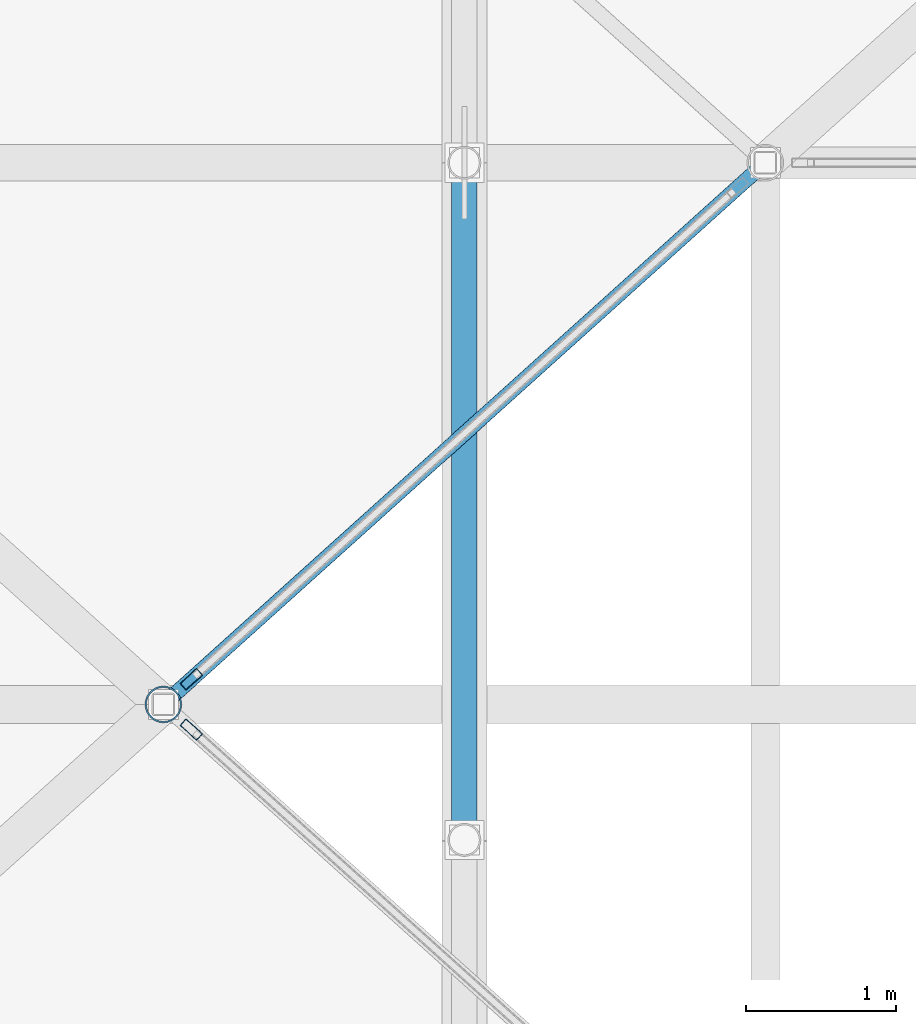
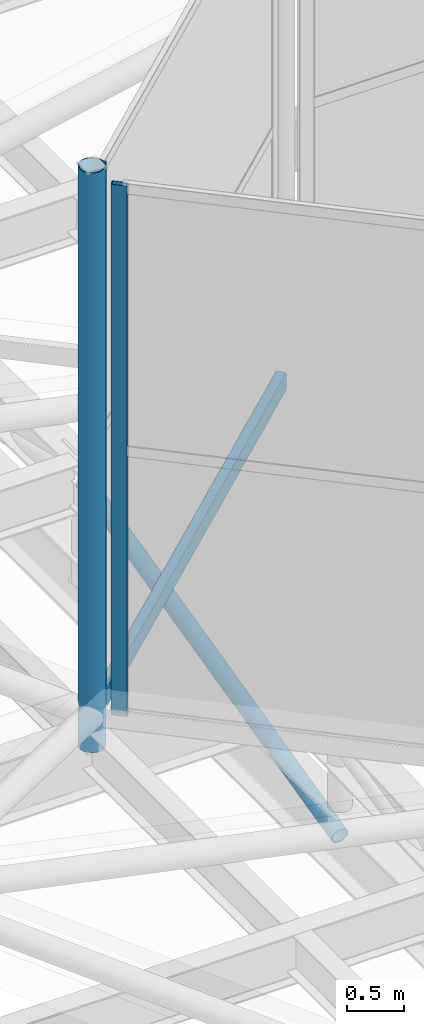
# One storey, part 112 of 239: 4 members, 1 beam, 2 elements without a shape of their own.
"""IFC4 building model written with IfcOpenShell, lengths in metres."""

from ifc_helpers import new_model, si_unit, direction, frame, origin, origin_2d, place, context, subcontext, project, spatial, hollow_rectangle, hollow_circle, extrude, material, layer, layer_set, material_profile, profile_set, type_object, element, aggregate, save


model = new_model("IFC4")

# Units and contexts
model_context = context("Model", 3, precision=1e-05, world=origin(), true_north=direction((0.0, 1.0)))
body_context = subcontext(model_context, "Body", "Model", "MODEL_VIEW")
ifc_project = project(units=[si_unit("LENGTHUNIT", "METRE"), si_unit("AREAUNIT", "SQUARE_METRE"), si_unit("VOLUMEUNIT", "CUBIC_METRE"), si_unit("PLANEANGLEUNIT", "RADIAN"), si_unit("MASSUNIT", "GRAM", prefix="KILO")], contexts=[model_context])

# Site, building, storey
site_placement = place(None, origin())
site = spatial("IfcSite", under=ifc_project, at=site_placement, CompositionType="ELEMENT")
building_placement = place(site_placement, origin())
building = spatial("IfcBuilding", under=site, at=building_placement, Name="Dunvalen Ferry Terminal", CompositionType="ELEMENT")
storey_placement = place(building_placement, frame((0.0, 0.0, 9.840087890625)))
storey = spatial("IfcBuildingStorey", under=building, at=storey_placement, Name="L02", CompositionType="ELEMENT", Elevation=9.840087890625)

# Curtain wall, member
ifc_material_1 = material(Name="Anodised marine aluminium and solar-control glazing", Category="aluminium")
ifc_layer_1 = layer(ifc_material_1, 0.179931640625, Name="Anodised marine aluminium and solar-control glazing")
ifc_layer_set_1 = layer_set([ifc_layer_1], Name="Anodised marine aluminium and solar-control glazing")
curtain_wall_type_1 = type_object("IfcCurtainWallType", Name="ENV-CW-SYS-05", PredefinedType="NOTDEFINED", material=ifc_layer_set_1)
curtain_wall_1_placement = place(storey_placement, origin())
curtain_wall_1 = element("IfcCurtainWall", 1, at=curtain_wall_1_placement, inside=storey, type_object=curtain_wall_type_1, Name="L02 Curtain Wall CW-HEX-36-SK-1", PredefinedType="NOTDEFINED")
ifc_material_2 = material(Name="Anodised marine aluminium EN AW-6063 T6", Category="aluminium")
ifc_material_profile_1 = material_profile(ifc_material_2, hollow_rectangle(XDim=0.06005859375, YDim=0.14990234375, WallThickness=0.00341796875, InnerFilletRadius=0.00341796875, OuterFilletRadius=0.007080078125, at=origin_2d()), Name="Anodised marine aluminium EN AW-6063 T6")
ifc_profile_set_1 = profile_set([ifc_material_profile_1], Name="Anodised marine aluminium EN AW-6063 T6")
member_type_1 = type_object("IfcMemberType", Name="ENV-CW-MUL-3", PredefinedType="MULLION", material=ifc_profile_set_1)
member_1_placement = place(storey_placement, frame((70.185791015625, 64.6328125, 1.139892578125), z_axis=(0.0, 0.0, 1.0), x_axis=(0.668953550894, 0.74330420875, 0.0)))
member_1 = element("IfcMember", 2, at=member_1_placement, type_object=member_type_1, Name="CW-05 mullion 1", PredefinedType="MULLION", context=body_context, shape_type="SweptSolid", body=[
    extrude(hollow_rectangle(XDim=0.06005859375, YDim=0.14990234375, WallThickness=0.00341796875, InnerFilletRadius=0.00341796875, OuterFilletRadius=0.007080078125, at=origin_2d()), origin(), (0.0, 0.0, 1.0), 5.699951171875),
])
aggregate(curtain_wall_1, [member_1])

ifc_layer_2 = layer(ifc_material_1, 0.179931640625, Name="Anodised marine aluminium and solar-control glazing")
ifc_layer_set_2 = layer_set([ifc_layer_2], Name="Anodised marine aluminium and solar-control glazing")
curtain_wall_type_2 = type_object("IfcCurtainWallType", Name="ENV-CW-SYS-06", PredefinedType="NOTDEFINED", material=ifc_layer_set_2)
curtain_wall_2_placement = place(storey_placement, origin())
curtain_wall_2 = element("IfcCurtainWall", 3, at=curtain_wall_2_placement, inside=storey, type_object=curtain_wall_type_2, Name="L02 Curtain Wall CW-HEX-36-SK-6", PredefinedType="NOTDEFINED")
member_2_placement = place(storey_placement, frame((70.185791015625, 64.96728515625, 1.139892578125), z_axis=(0.0, 0.0, 1.0), x_axis=(0.668953550894, -0.74330420875, 0.0)))
member_2 = element("IfcMember", 4, at=member_2_placement, type_object=member_type_1, Name="CW-06 mullion 2", PredefinedType="MULLION", context=body_context, shape_type="SweptSolid", body=[
    extrude(hollow_rectangle(XDim=0.06005859375, YDim=0.14990234375, WallThickness=0.00341796875, InnerFilletRadius=0.00341796875, OuterFilletRadius=0.007080078125, at=origin_2d()), origin(), (0.0, 0.0, 1.0), 5.699951171875),
])
aggregate(curtain_wall_2, [member_2])

# Beam
ifc_material_3 = material(Name="Steel S355", Category="steel")
ifc_material_profile_2 = material_profile(ifc_material_3, hollow_rectangle(XDim=0.10009765625, YDim=0.199951171875, WallThickness=0.008056640625, InnerFilletRadius=0.008056640625, OuterFilletRadius=0.01611328125, at=origin_2d()), Name="Steel S355")
ifc_profile_set_2 = profile_set([ifc_material_profile_2], Name="Steel S355")
beam_type = type_object("IfcBeamType", Name="STR-BM-RHS200", PredefinedType="BEAM", material=ifc_profile_set_2)
beam_placement = place(storey_placement, frame((70.0, 64.800048828125, 1.099853515625), z_axis=(0.74330768127, 0.668949692402, 0.0), x_axis=(-0.668949692402, 0.74330768127, 0.0)))
element("IfcBeam", 5, at=beam_placement, inside=storey, type_object=beam_type, Name="HEX-31 Hexagonal Rim Beam 3", PredefinedType="BEAM", context=body_context, shape_type="SweptSolid", body=[
    extrude(hollow_rectangle(XDim=0.10009765625, YDim=0.199951171875, WallThickness=0.008056640625, InnerFilletRadius=0.008056640625, OuterFilletRadius=0.01611328125, at=origin_2d()), origin(), (0.0, 0.0, 1.0), 5.38134765625),
])

# Members
ifc_material_profile_3 = material_profile(ifc_material_3, hollow_circle(Radius=0.084228515625, WallThickness=0.008056640625, at=origin_2d()), Name="Steel S355")
ifc_profile_set_3 = profile_set([ifc_material_profile_3], Name="Steel S355")
member_type_2 = type_object("IfcMemberType", Name="STR-MB-CHS168", PredefinedType="BRACE", material=ifc_profile_set_3)
member_3_placement = place(storey_placement, frame((72.0, 63.89990234375, -0.360107421875), z_axis=(0.0, 0.972383470914, 0.233388914677), x_axis=(-1.0, 0.0, 0.0)))
element("IfcMember", 6, at=member_3_placement, inside=storey, type_object=member_type_2, Name="Departure Hall Arch Web Diagonal 06.4", PredefinedType="BRACE", context=body_context, shape_type="SweptSolid", body=[
    extrude(hollow_circle(Radius=0.084228515625, WallThickness=0.008056640625, at=origin_2d()), origin(), (0.0, 0.0, 1.0), 4.627685546875),
])
ifc_material_profile_4 = material_profile(ifc_material_3, hollow_circle(Radius=0.122314453125, WallThickness=0.010009765625, at=origin_2d()), Name="Steel S355")
ifc_profile_set_4 = profile_set([ifc_material_profile_4], Name="Steel S355")
member_type_3 = type_object("IfcMemberType", Name="STR-MB-CHS244", PredefinedType="STRUT", material=ifc_profile_set_4)
member_4_placement = place(storey_placement, frame((70.0, 64.800048828125, 0.77001953125), z_axis=(0.0, 0.0, 1.0), x_axis=(1.0, 0.0, 0.0)))
element("IfcMember", 7, at=member_4_placement, inside=storey, type_object=member_type_3, Name="HEX-36 Skylight Lantern Corner Strut 1", PredefinedType="STRUT", context=body_context, shape_type="SweptSolid", body=[
    extrude(hollow_circle(Radius=0.122314453125, WallThickness=0.010009765625, at=origin_2d()), origin(), (0.0, 0.0, 1.0), 6.22998046875),
])

save(model, "model.ifc")
